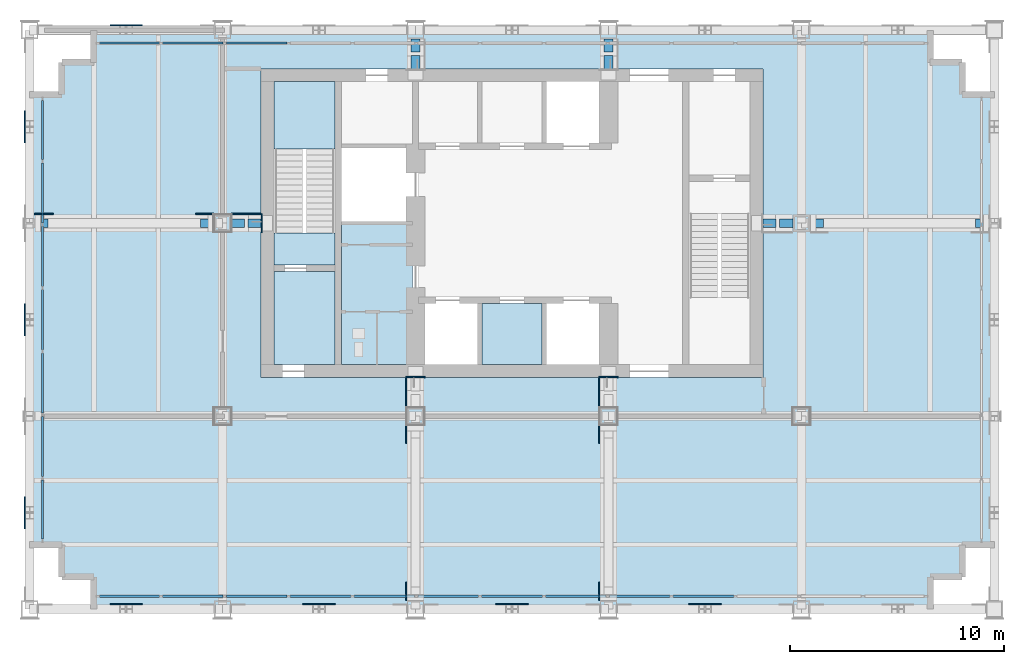
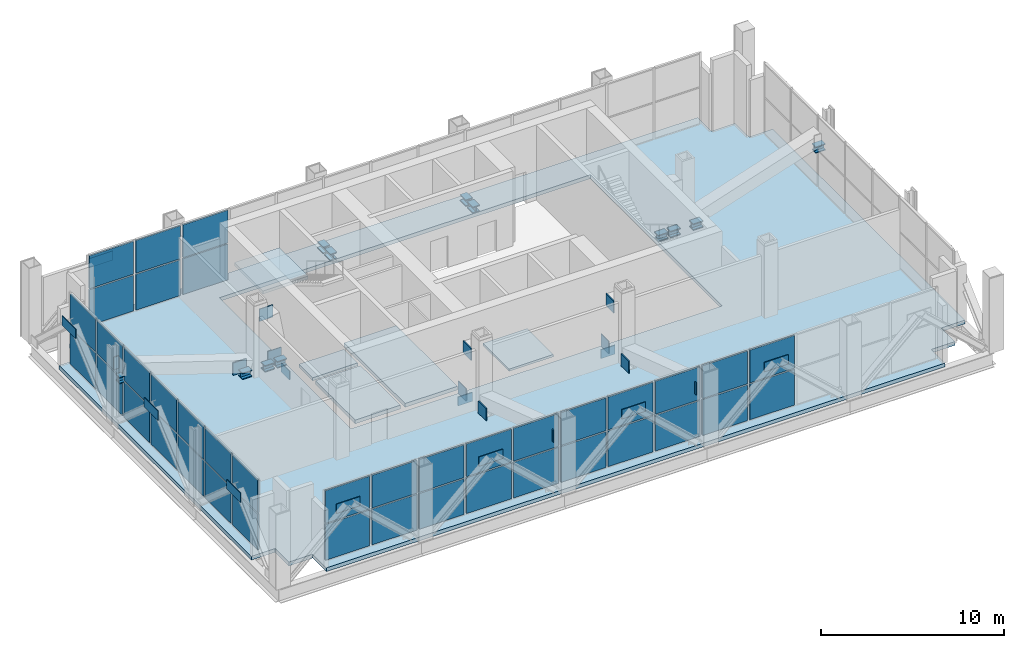
# One storey, part 7 of 13: 63 plates, 12 members, 6 slabs, 4 elements without a shape of their own.
"""IFC4 building model written with IfcOpenShell, lengths in metres."""

from ifc_helpers import new_model, si_unit, direction, frame, origin, origin_2d, place, context, subcontext, project, spatial, polyline, rectangle, i_section, outline, extrude, material, layer, layer_set, material_profile, profile_set, type_object, element, aggregate, save


model = new_model("IFC4")

# Units and contexts
model_context = context("Model", 3, precision=1e-05, world=origin(), true_north=direction((0.0, 1.0)))
body_context = subcontext(model_context, "Body", "Model", "MODEL_VIEW")
ifc_project = project(units=[si_unit("LENGTHUNIT", "METRE"), si_unit("AREAUNIT", "SQUARE_METRE"), si_unit("VOLUMEUNIT", "CUBIC_METRE"), si_unit("PLANEANGLEUNIT", "RADIAN"), si_unit("MASSUNIT", "GRAM", prefix="KILO")], contexts=[model_context])

# Site, building, storey
site_placement = place(None, origin())
site = spatial("IfcSite", under=ifc_project, at=site_placement, CompositionType="ELEMENT")
building_placement = place(site_placement, origin())
building = spatial("IfcBuilding", under=site, at=building_placement, Name="Loomwork Tower", CompositionType="ELEMENT")
storey_placement = place(building_placement, frame((0.0, 0.0, 221.60009765625)))
storey = spatial("IfcBuildingStorey", under=building, at=storey_placement, Name="L61", CompositionType="ELEMENT", Elevation=221.60009765625)

# Members
ifc_material_1 = material(Name="Steel ASTM A992", Category="steel")
ifc_material_profile = material_profile(ifc_material_1, i_section(OverallWidth=0.411376953125, OverallDepth=0.434326171875, WebThickness=0.035888671875, FlangeThickness=0.057373046875, at=origin_2d()), Name="W14x311")
ifc_profile_set = profile_set([ifc_material_profile], Name="Steel ASTM A992")
member_type = type_object("IfcMemberType", Name="OUTRIGGER GUSSET CORBEL W14x311", PredefinedType="STRUT", material=ifc_profile_set)
for number, where, z_axis, x_axis, name in (
    (1, (0.245361328125, 18.0, 2.65478515625), (1.0, 0.0, 0.0), (0.0, 1.0, 0.0), "Outrigger upper gusset corbel F/2/0 L61"),
    (2, (8.595947265625, 18.0, 0.22705078125), (-1.0, 0.0, 0.0), (0.0, -1.0, 0.0), "Outrigger lower gusset corbel F/2/0 L61"),
    (3, (9.404052734375, 18.0, 0.22900390625), (1.0, 0.0, 0.0), (0.0, 1.0, 0.0), "Outrigger upper gusset corbel F/3/1 L61"),
    (4, (10.7958984375, 18.0, 0.22705078125), (-1.0, 0.0, 0.0), (0.0, -1.0, 0.0), "Outrigger lower gusset corbel F/3/1 L61"),
):
    element("IfcMember", number, at=place(storey_placement, frame(where, z_axis=z_axis, x_axis=x_axis)), inside=storey, type_object=member_type, Name=name, PredefinedType="STRUT", context=body_context, shape_type="SweptSolid", body=[
        extrude(i_section(OverallWidth=0.411376953125, OverallDepth=0.434326171875, WebThickness=0.035888671875, FlangeThickness=0.057373046875, at=origin_2d()), origin(), (0.0, 0.0, 1.0), 0.615966796875),
    ])
member_placement = place(storey_placement, frame((44.74609375, 18.0, 2.65478515625), z_axis=(-1.0, 0.0, 0.0), x_axis=(0.0, -1.0, 0.0)))
element("IfcMember", 5, at=member_placement, inside=storey, type_object=member_type, Name="Outrigger upper gusset corbel F/7/0 L61", PredefinedType="STRUT", context=body_context, shape_type="SweptSolid", body=[
    extrude(i_section(OverallWidth=0.411376953125, OverallDepth=0.434326171875, WebThickness=0.035888671875, FlangeThickness=0.057373046875, at=origin_2d()), origin(), (0.0, 0.0, 1.0), 0.6162109375),
])
for number, where, z_axis, x_axis, name in (
    (6, (36.404052734375, 18.0, 0.22705078125), (1.0, 0.0, 0.0), (0.0, 1.0, 0.0), "Outrigger lower gusset corbel F/7/0 L61"),
    (7, (35.595947265625, 18.0, 0.22900390625), (-1.0, 0.0, 0.0), (0.0, -1.0, 0.0), "Outrigger upper gusset corbel F/6/1 L61"),
    (8, (34.2041015625, 18.0, 0.22705078125), (1.0, 0.0, 0.0), (0.0, 1.0, 0.0), "Outrigger lower gusset corbel F/6/1 L61"),
    (9, (18.0, 26.595947265625, 0.22900390625), (0.0, -1.0, 0.0), (1.0, 0.0, 0.0), "Outrigger upper gusset corbel G/4/0 L61"),
    (10, (18.0, 25.2041015625, 0.22705078125), (0.0, 1.0, 0.0), (-1.0, 0.0, 0.0), "Outrigger lower gusset corbel G/4/0 L61"),
    (11, (27.0, 26.595947265625, 0.22900390625), (0.0, -1.0, 0.0), (1.0, 0.0, 0.0), "Outrigger upper gusset corbel G/5/0 L61"),
    (12, (27.0, 25.2041015625, 0.22705078125), (0.0, 1.0, 0.0), (-1.0, 0.0, 0.0), "Outrigger lower gusset corbel G/5/0 L61"),
):
    element("IfcMember", number, at=place(storey_placement, frame(where, z_axis=z_axis, x_axis=x_axis)), inside=storey, type_object=member_type, Name=name, PredefinedType="STRUT", context=body_context, shape_type="SweptSolid", body=[
        extrude(i_section(OverallWidth=0.411376953125, OverallDepth=0.434326171875, WebThickness=0.035888671875, FlangeThickness=0.057373046875, at=origin_2d()), origin(), (0.0, 0.0, 1.0), 0.615966796875),
    ])

# Slabs
ifc_material_2 = material(Name="Concrete 5000 psi (34 MPa) on composite metal deck", Category="concrete")
ifc_layer_1 = layer(ifc_material_2, 0.25)
ifc_layer_set_1 = layer_set([ifc_layer_1], Name="Floor slab 250")
slab_type_1 = type_object("IfcSlabType", Name="Floor slab 250", PredefinedType="FLOOR", material=ifc_layer_set_1)
slab_1_placement = place(storey_placement, frame((0.0, 0.0, -0.25)))
element("IfcSlab", 13, at=slab_1_placement, inside=storey, type_object=slab_type_1, Name="Floor slab L61", PredefinedType="FLOOR", context=body_context, shape_type="SweptSolid", body=[
    extrude(outline(polyline([(3.0, 1.5), (1.5, 1.5), (1.5, 3.0), (0.0, 3.0), (0.0, 24.0), (1.5, 24.0), (1.5, 25.5), (3.0, 25.5), (3.0, 27.0), (42.0, 27.0), (42.0, 25.5), (43.5, 25.5), (43.5, 24.0), (45.0, 24.0), (45.0, 3.0), (43.5, 3.0), (43.5, 1.5), (42.0, 1.5), (42.0, 0.0), (3.0, 0.0), (3.0, 1.5)]), holes=[polyline([(10.800048828125, 11.39990234375), (10.800048828125, 11.39990234375), (10.800048828125, 10.800048828125), (34.199951171875, 10.800048828125), (34.199951171875, 11.39990234375), (34.199951171875, 11.39990234375), (34.199951171875, 24.60009765625), (34.199951171875, 25.199951171875), (10.800048828125, 25.199951171875), (10.800048828125, 24.60009765625), (10.800048828125, 11.39990234375)])]), origin(), (0.0, 0.0, 1.0), 0.25),
])
slab_2_placement = place(storey_placement, frame((0.0, 0.0, -0.25)))
element("IfcSlab", 14, at=slab_2_placement, inside=storey, type_object=slab_type_1, Name="Floor slab L61", PredefinedType="FLOOR", context=body_context, shape_type="SweptSolid", body=[
    extrude(outline(polyline([(14.550048828125, 11.39990234375), (14.550048828125, 18.074951171875), (17.85009765625, 18.074951171875), (17.85009765625, 11.39990234375), (14.550048828125, 11.39990234375)])), origin(), (0.0, 0.0, 1.0), 0.25),
])
slab_3_placement = place(storey_placement, frame((0.0, 0.0, -0.25)))
element("IfcSlab", 15, at=slab_3_placement, inside=storey, type_object=slab_type_1, Name="Floor slab L61", PredefinedType="FLOOR", context=body_context, shape_type="SweptSolid", body=[
    extrude(outline(polyline([(14.25, 15.75), (14.25, 11.39990234375), (11.39990234375, 11.39990234375), (11.39990234375, 15.75), (14.25, 15.75)])), origin(), (0.0, 0.0, 1.0), 0.25),
])

# Curtain wall, plates
ifc_material_3 = material(Name="Aluminium louvre frame", Category="aluminium")
curtain_wall_type = type_object("IfcCurtainWallType", Name="Plant floor louvre screen", PredefinedType="NOTDEFINED", material=ifc_material_3)
curtain_wall_1_placement = place(storey_placement, origin())
curtain_wall_1 = element("IfcCurtainWall", 16, at=curtain_wall_1_placement, inside=storey, type_object=curtain_wall_type, Name="Plant floor louvre screen cw/S", PredefinedType="NOTDEFINED")
ifc_material_4 = material(Name="Aluminium louvre blade panel", Category="aluminium")
ifc_layer_2 = layer(ifc_material_4, 0.10009765625)
ifc_layer_set_2 = layer_set([ifc_layer_2], Name="Plant floor louvre screen panel")
plate_type_1 = type_object("IfcPlateType", Name="Plant floor louvre screen panel", PredefinedType="CURTAIN_PANEL", material=ifc_layer_set_2)
plate_1_placement = place(storey_placement, frame((4.658447265625, 0.60009765625, 0.080078125), z_axis=(0.0, 0.0, 1.0), x_axis=(1.0, 0.0, 0.0)))
plate_1 = element("IfcPlate", 17, at=plate_1_placement, type_object=plate_type_1, Name="CW4 panel 1.1", PredefinedType="CURTAIN_PANEL", context=body_context, shape_type="SweptSolid", body=[
    extrude(rectangle(XDim=2.786865234375, YDim=0.10009765625, at=origin_2d()), origin(), (0.0, 0.0, 1.0), 2.3798828125),
])
plate_2_placement = place(storey_placement, frame((4.658447265625, 0.60009765625, 2.5400390625), z_axis=(0.0, 0.0, 1.0), x_axis=(1.0, 0.0, 0.0)))
plate_2 = element("IfcPlate", 18, at=plate_2_placement, type_object=plate_type_1, Name="CW4 panel 1.2", PredefinedType="CURTAIN_PANEL", context=body_context, shape_type="SweptSolid", body=[
    extrude(rectangle(XDim=2.786865234375, YDim=0.10009765625, at=origin_2d()), origin(), (0.0, 0.0, 1.0), 2.179931640625),
])
plate_3_placement = place(storey_placement, frame((7.615478515625, 0.60009765625, 0.080078125), z_axis=(0.0, 0.0, 1.0), x_axis=(1.0, 0.0, 0.0)))
plate_3 = element("IfcPlate", 19, at=plate_3_placement, type_object=plate_type_1, Name="CW4 panel 2.1", PredefinedType="CURTAIN_PANEL", context=body_context, shape_type="SweptSolid", body=[
    extrude(rectangle(XDim=2.826904296875, YDim=0.10009765625, at=origin_2d()), origin(), (0.0, 0.0, 1.0), 2.3798828125),
])
plate_4_placement = place(storey_placement, frame((7.615478515625, 0.60009765625, 2.5400390625), z_axis=(0.0, 0.0, 1.0), x_axis=(1.0, 0.0, 0.0)))
plate_4 = element("IfcPlate", 20, at=plate_4_placement, type_object=plate_type_1, Name="CW4 panel 2.2", PredefinedType="CURTAIN_PANEL", context=body_context, shape_type="SweptSolid", body=[
    extrude(rectangle(XDim=2.826904296875, YDim=0.10009765625, at=origin_2d()), origin(), (0.0, 0.0, 1.0), 2.179931640625),
])
plate_5_placement = place(storey_placement, frame((10.59228515625, 0.60009765625, 0.080078125), z_axis=(0.0, 0.0, 1.0), x_axis=(1.0, 0.0, 0.0)))
plate_5 = element("IfcPlate", 21, at=plate_5_placement, type_object=plate_type_1, Name="CW4 panel 3.1", PredefinedType="CURTAIN_PANEL", context=body_context, shape_type="SweptSolid", body=[
    extrude(rectangle(XDim=2.826904296875, YDim=0.10009765625, at=origin_2d()), origin(), (0.0, 0.0, 1.0), 2.3798828125),
])
plate_6_placement = place(storey_placement, frame((10.59228515625, 0.60009765625, 2.5400390625), z_axis=(0.0, 0.0, 1.0), x_axis=(1.0, 0.0, 0.0)))
plate_6 = element("IfcPlate", 22, at=plate_6_placement, type_object=plate_type_1, Name="CW4 panel 3.2", PredefinedType="CURTAIN_PANEL", context=body_context, shape_type="SweptSolid", body=[
    extrude(rectangle(XDim=2.826904296875, YDim=0.10009765625, at=origin_2d()), origin(), (0.0, 0.0, 1.0), 2.179931640625),
])
plate_7_placement = place(storey_placement, frame((13.5693359375, 0.60009765625, 0.080078125), z_axis=(0.0, 0.0, 1.0), x_axis=(1.0, 0.0, 0.0)))
plate_7 = element("IfcPlate", 23, at=plate_7_placement, type_object=plate_type_1, Name="CW4 panel 4.1", PredefinedType="CURTAIN_PANEL", context=body_context, shape_type="SweptSolid", body=[
    extrude(rectangle(XDim=2.826904296875, YDim=0.10009765625, at=origin_2d()), origin(), (0.0, 0.0, 1.0), 2.3798828125),
])
plate_8_placement = place(storey_placement, frame((13.5693359375, 0.60009765625, 2.5400390625), z_axis=(0.0, 0.0, 1.0), x_axis=(1.0, 0.0, 0.0)))
plate_8 = element("IfcPlate", 24, at=plate_8_placement, type_object=plate_type_1, Name="CW4 panel 4.2", PredefinedType="CURTAIN_PANEL", context=body_context, shape_type="SweptSolid", body=[
    extrude(rectangle(XDim=2.826904296875, YDim=0.10009765625, at=origin_2d()), origin(), (0.0, 0.0, 1.0), 2.179931640625),
])
plate_9_placement = place(storey_placement, frame((16.546142578125, 0.60009765625, 0.080078125), z_axis=(0.0, 0.0, 1.0), x_axis=(1.0, 0.0, 0.0)))
plate_9 = element("IfcPlate", 25, at=plate_9_placement, type_object=plate_type_1, Name="CW4 panel 5.1", PredefinedType="CURTAIN_PANEL", context=body_context, shape_type="SweptSolid", body=[
    extrude(rectangle(XDim=2.826904296875, YDim=0.10009765625, at=origin_2d()), origin(), (0.0, 0.0, 1.0), 2.3798828125),
])
plate_10_placement = place(storey_placement, frame((16.546142578125, 0.60009765625, 2.5400390625), z_axis=(0.0, 0.0, 1.0), x_axis=(1.0, 0.0, 0.0)))
plate_10 = element("IfcPlate", 26, at=plate_10_placement, type_object=plate_type_1, Name="CW4 panel 5.2", PredefinedType="CURTAIN_PANEL", context=body_context, shape_type="SweptSolid", body=[
    extrude(rectangle(XDim=2.826904296875, YDim=0.10009765625, at=origin_2d()), origin(), (0.0, 0.0, 1.0), 2.179931640625),
])
plate_11_placement = place(storey_placement, frame((19.523193359375, 0.60009765625, 0.080078125), z_axis=(0.0, 0.0, 1.0), x_axis=(1.0, 0.0, 0.0)))
plate_11 = element("IfcPlate", 27, at=plate_11_placement, type_object=plate_type_1, Name="CW4 panel 6.1", PredefinedType="CURTAIN_PANEL", context=body_context, shape_type="SweptSolid", body=[
    extrude(rectangle(XDim=2.826904296875, YDim=0.10009765625, at=origin_2d()), origin(), (0.0, 0.0, 1.0), 2.3798828125),
])
plate_12_placement = place(storey_placement, frame((19.523193359375, 0.60009765625, 2.5400390625), z_axis=(0.0, 0.0, 1.0), x_axis=(1.0, 0.0, 0.0)))
plate_12 = element("IfcPlate", 28, at=plate_12_placement, type_object=plate_type_1, Name="CW4 panel 6.2", PredefinedType="CURTAIN_PANEL", context=body_context, shape_type="SweptSolid", body=[
    extrude(rectangle(XDim=2.826904296875, YDim=0.10009765625, at=origin_2d()), origin(), (0.0, 0.0, 1.0), 2.179931640625),
])
plate_13_placement = place(storey_placement, frame((22.5, 0.60009765625, 0.080078125), z_axis=(0.0, 0.0, 1.0), x_axis=(1.0, 0.0, 0.0)))
plate_13 = element("IfcPlate", 29, at=plate_13_placement, type_object=plate_type_1, Name="CW4 panel 7.1", PredefinedType="CURTAIN_PANEL", context=body_context, shape_type="SweptSolid", body=[
    extrude(rectangle(XDim=2.826904296875, YDim=0.10009765625, at=origin_2d()), origin(), (0.0, 0.0, 1.0), 2.3798828125),
])
plate_14_placement = place(storey_placement, frame((22.5, 0.60009765625, 2.5400390625), z_axis=(0.0, 0.0, 1.0), x_axis=(1.0, 0.0, 0.0)))
plate_14 = element("IfcPlate", 30, at=plate_14_placement, type_object=plate_type_1, Name="CW4 panel 7.2", PredefinedType="CURTAIN_PANEL", context=body_context, shape_type="SweptSolid", body=[
    extrude(rectangle(XDim=2.826904296875, YDim=0.10009765625, at=origin_2d()), origin(), (0.0, 0.0, 1.0), 2.179931640625),
])
plate_15_placement = place(storey_placement, frame((25.476806640625, 0.60009765625, 0.080078125), z_axis=(0.0, 0.0, 1.0), x_axis=(1.0, 0.0, 0.0)))
plate_15 = element("IfcPlate", 31, at=plate_15_placement, type_object=plate_type_1, Name="CW4 panel 8.1", PredefinedType="CURTAIN_PANEL", context=body_context, shape_type="SweptSolid", body=[
    extrude(rectangle(XDim=2.826904296875, YDim=0.10009765625, at=origin_2d()), origin(), (0.0, 0.0, 1.0), 2.3798828125),
])
plate_16_placement = place(storey_placement, frame((25.476806640625, 0.60009765625, 2.5400390625), z_axis=(0.0, 0.0, 1.0), x_axis=(1.0, 0.0, 0.0)))
plate_16 = element("IfcPlate", 32, at=plate_16_placement, type_object=plate_type_1, Name="CW4 panel 8.2", PredefinedType="CURTAIN_PANEL", context=body_context, shape_type="SweptSolid", body=[
    extrude(rectangle(XDim=2.826904296875, YDim=0.10009765625, at=origin_2d()), origin(), (0.0, 0.0, 1.0), 2.179931640625),
])
plate_17_placement = place(storey_placement, frame((28.453857421875, 0.60009765625, 0.080078125), z_axis=(0.0, 0.0, 1.0), x_axis=(1.0, 0.0, 0.0)))
plate_17 = element("IfcPlate", 33, at=plate_17_placement, type_object=plate_type_1, Name="CW4 panel 9.1", PredefinedType="CURTAIN_PANEL", context=body_context, shape_type="SweptSolid", body=[
    extrude(rectangle(XDim=2.826904296875, YDim=0.10009765625, at=origin_2d()), origin(), (0.0, 0.0, 1.0), 2.3798828125),
])
plate_18_placement = place(storey_placement, frame((28.453857421875, 0.60009765625, 2.5400390625), z_axis=(0.0, 0.0, 1.0), x_axis=(1.0, 0.0, 0.0)))
plate_18 = element("IfcPlate", 34, at=plate_18_placement, type_object=plate_type_1, Name="CW4 panel 9.2", PredefinedType="CURTAIN_PANEL", context=body_context, shape_type="SweptSolid", body=[
    extrude(rectangle(XDim=2.826904296875, YDim=0.10009765625, at=origin_2d()), origin(), (0.0, 0.0, 1.0), 2.179931640625),
])
plate_19_placement = place(storey_placement, frame((31.4306640625, 0.60009765625, 0.080078125), z_axis=(0.0, 0.0, 1.0), x_axis=(1.0, 0.0, 0.0)))
plate_19 = element("IfcPlate", 35, at=plate_19_placement, type_object=plate_type_1, Name="CW4 panel 10.1", PredefinedType="CURTAIN_PANEL", context=body_context, shape_type="SweptSolid", body=[
    extrude(rectangle(XDim=2.826904296875, YDim=0.10009765625, at=origin_2d()), origin(), (0.0, 0.0, 1.0), 2.3798828125),
])
plate_20_placement = place(storey_placement, frame((31.4306640625, 0.60009765625, 2.5400390625), z_axis=(0.0, 0.0, 1.0), x_axis=(1.0, 0.0, 0.0)))
plate_20 = element("IfcPlate", 36, at=plate_20_placement, type_object=plate_type_1, Name="CW4 panel 10.2", PredefinedType="CURTAIN_PANEL", context=body_context, shape_type="SweptSolid", body=[
    extrude(rectangle(XDim=2.826904296875, YDim=0.10009765625, at=origin_2d()), origin(), (0.0, 0.0, 1.0), 2.179931640625),
])
aggregate(curtain_wall_1, [plate_1, plate_2, plate_3, plate_4, plate_5, plate_6, plate_7, plate_8, plate_9, plate_10, plate_11, plate_12, plate_13, plate_14, plate_15, plate_16, plate_17, plate_18, plate_19, plate_20])

curtain_wall_2_placement = place(storey_placement, origin())
curtain_wall_2 = element("IfcCurtainWall", 37, at=curtain_wall_2_placement, inside=storey, type_object=curtain_wall_type, Name="Plant floor louvre screen cw/N", PredefinedType="NOTDEFINED")
plate_21_placement = place(storey_placement, frame((10.59228515625, 26.39990234375, 0.080078125), z_axis=(0.0, 0.0, 1.0), x_axis=(-1.0, 0.0, 0.0)))
plate_21 = element("IfcPlate", 38, at=plate_21_placement, type_object=plate_type_1, Name="CW4 panel 11.1", PredefinedType="CURTAIN_PANEL", context=body_context, shape_type="SweptSolid", body=[
    extrude(rectangle(XDim=2.826904296875, YDim=0.10009765625, at=origin_2d()), origin(), (0.0, 0.0, 1.0), 2.3798828125),
])
plate_22_placement = place(storey_placement, frame((10.59228515625, 26.39990234375, 2.5400390625), z_axis=(0.0, 0.0, 1.0), x_axis=(-1.0, 0.0, 0.0)))
plate_22 = element("IfcPlate", 39, at=plate_22_placement, type_object=plate_type_1, Name="CW4 panel 11.2", PredefinedType="CURTAIN_PANEL", context=body_context, shape_type="SweptSolid", body=[
    extrude(rectangle(XDim=2.826904296875, YDim=0.10009765625, at=origin_2d()), origin(), (0.0, 0.0, 1.0), 2.179931640625),
])
plate_23_placement = place(storey_placement, frame((7.615478515625, 26.39990234375, 0.080078125), z_axis=(0.0, 0.0, 1.0), x_axis=(-1.0, 0.0, 0.0)))
plate_23 = element("IfcPlate", 40, at=plate_23_placement, type_object=plate_type_1, Name="CW4 panel 12.1", PredefinedType="CURTAIN_PANEL", context=body_context, shape_type="SweptSolid", body=[
    extrude(rectangle(XDim=2.826904296875, YDim=0.10009765625, at=origin_2d()), origin(), (0.0, 0.0, 1.0), 2.3798828125),
])
plate_24_placement = place(storey_placement, frame((7.615478515625, 26.39990234375, 2.5400390625), z_axis=(0.0, 0.0, 1.0), x_axis=(-1.0, 0.0, 0.0)))
plate_24 = element("IfcPlate", 41, at=plate_24_placement, type_object=plate_type_1, Name="CW4 panel 12.2", PredefinedType="CURTAIN_PANEL", context=body_context, shape_type="SweptSolid", body=[
    extrude(rectangle(XDim=2.826904296875, YDim=0.10009765625, at=origin_2d()), origin(), (0.0, 0.0, 1.0), 2.179931640625),
])
plate_25_placement = place(storey_placement, frame((4.658447265625, 26.39990234375, 0.080078125), z_axis=(0.0, 0.0, 1.0), x_axis=(-1.0, 0.0, 0.0)))
plate_25 = element("IfcPlate", 42, at=plate_25_placement, type_object=plate_type_1, Name="CW4 panel 13.1", PredefinedType="CURTAIN_PANEL", context=body_context, shape_type="SweptSolid", body=[
    extrude(rectangle(XDim=2.786865234375, YDim=0.10009765625, at=origin_2d()), origin(), (0.0, 0.0, 1.0), 2.3798828125),
])
plate_26_placement = place(storey_placement, frame((4.658447265625, 26.39990234375, 2.5400390625), z_axis=(0.0, 0.0, 1.0), x_axis=(-1.0, 0.0, 0.0)))
plate_26 = element("IfcPlate", 43, at=plate_26_placement, type_object=plate_type_1, Name="CW4 panel 13.2", PredefinedType="CURTAIN_PANEL", context=body_context, shape_type="SweptSolid", body=[
    extrude(rectangle(XDim=2.786865234375, YDim=0.10009765625, at=origin_2d()), origin(), (0.0, 0.0, 1.0), 2.179931640625),
])
aggregate(curtain_wall_2, [plate_21, plate_22, plate_23, plate_24, plate_25, plate_26])

curtain_wall_3_placement = place(storey_placement, origin())
curtain_wall_3 = element("IfcCurtainWall", 44, at=curtain_wall_3_placement, inside=storey, type_object=curtain_wall_type, Name="Plant floor louvre screen cw/W", PredefinedType="NOTDEFINED")
plate_27_placement = place(storey_placement, frame((0.60009765625, 22.351318359375, 0.080078125), z_axis=(0.0, 0.0, 1.0), x_axis=(0.0, -1.0, 0.0)))
plate_27 = element("IfcPlate", 45, at=plate_27_placement, type_object=plate_type_1, Name="CW4 panel 1.1", PredefinedType="CURTAIN_PANEL", context=body_context, shape_type="SweptSolid", body=[
    extrude(rectangle(XDim=2.76708984375, YDim=0.10009765625, at=origin_2d()), origin(), (0.0, 0.0, 1.0), 2.3798828125),
])
plate_28_placement = place(storey_placement, frame((0.60009765625, 22.351318359375, 2.5400390625), z_axis=(0.0, 0.0, 1.0), x_axis=(0.0, -1.0, 0.0)))
plate_28 = element("IfcPlate", 46, at=plate_28_placement, type_object=plate_type_1, Name="CW4 panel 1.2", PredefinedType="CURTAIN_PANEL", context=body_context, shape_type="SweptSolid", body=[
    extrude(rectangle(XDim=2.76708984375, YDim=0.10009765625, at=origin_2d()), origin(), (0.0, 0.0, 1.0), 2.179931640625),
])
plate_29_placement = place(storey_placement, frame((0.60009765625, 19.414306640625, 0.080078125), z_axis=(0.0, 0.0, 1.0), x_axis=(0.0, -1.0, 0.0)))
plate_29 = element("IfcPlate", 47, at=plate_29_placement, type_object=plate_type_1, Name="CW4 panel 2.1", PredefinedType="CURTAIN_PANEL", context=body_context, shape_type="SweptSolid", body=[
    extrude(rectangle(XDim=2.80712890625, YDim=0.10009765625, at=origin_2d()), origin(), (0.0, 0.0, 1.0), 2.3798828125),
])
plate_30_placement = place(storey_placement, frame((0.60009765625, 19.414306640625, 2.5400390625), z_axis=(0.0, 0.0, 1.0), x_axis=(0.0, -1.0, 0.0)))
plate_30 = element("IfcPlate", 48, at=plate_30_placement, type_object=plate_type_1, Name="CW4 panel 2.2", PredefinedType="CURTAIN_PANEL", context=body_context, shape_type="SweptSolid", body=[
    extrude(rectangle(XDim=2.80712890625, YDim=0.10009765625, at=origin_2d()), origin(), (0.0, 0.0, 1.0), 2.179931640625),
])
plate_31_placement = place(storey_placement, frame((0.60009765625, 16.45703125, 0.080078125), z_axis=(0.0, 0.0, 1.0), x_axis=(0.0, -1.0, 0.0)))
plate_31 = element("IfcPlate", 49, at=plate_31_placement, type_object=plate_type_1, Name="CW4 panel 3.1", PredefinedType="CURTAIN_PANEL", context=body_context, shape_type="SweptSolid", body=[
    extrude(rectangle(XDim=2.80712890625, YDim=0.10009765625, at=origin_2d()), origin(), (0.0, 0.0, 1.0), 2.3798828125),
])
plate_32_placement = place(storey_placement, frame((0.60009765625, 16.45703125, 2.5400390625), z_axis=(0.0, 0.0, 1.0), x_axis=(0.0, -1.0, 0.0)))
plate_32 = element("IfcPlate", 50, at=plate_32_placement, type_object=plate_type_1, Name="CW4 panel 3.2", PredefinedType="CURTAIN_PANEL", context=body_context, shape_type="SweptSolid", body=[
    extrude(rectangle(XDim=2.80712890625, YDim=0.10009765625, at=origin_2d()), origin(), (0.0, 0.0, 1.0), 2.179931640625),
])
plate_33_placement = place(storey_placement, frame((0.60009765625, 13.5, 0.080078125), z_axis=(0.0, 0.0, 1.0), x_axis=(0.0, -1.0, 0.0)))
plate_33 = element("IfcPlate", 51, at=plate_33_placement, type_object=plate_type_1, Name="CW4 panel 4.1", PredefinedType="CURTAIN_PANEL", context=body_context, shape_type="SweptSolid", body=[
    extrude(rectangle(XDim=2.80712890625, YDim=0.10009765625, at=origin_2d()), origin(), (0.0, 0.0, 1.0), 2.3798828125),
])
plate_34_placement = place(storey_placement, frame((0.60009765625, 13.5, 2.5400390625), z_axis=(0.0, 0.0, 1.0), x_axis=(0.0, -1.0, 0.0)))
plate_34 = element("IfcPlate", 52, at=plate_34_placement, type_object=plate_type_1, Name="CW4 panel 4.2", PredefinedType="CURTAIN_PANEL", context=body_context, shape_type="SweptSolid", body=[
    extrude(rectangle(XDim=2.80712890625, YDim=0.10009765625, at=origin_2d()), origin(), (0.0, 0.0, 1.0), 2.179931640625),
])
plate_35_placement = place(storey_placement, frame((0.60009765625, 10.54296875, 0.080078125), z_axis=(0.0, 0.0, 1.0), x_axis=(0.0, -1.0, 0.0)))
plate_35 = element("IfcPlate", 53, at=plate_35_placement, type_object=plate_type_1, Name="CW4 panel 5.1", PredefinedType="CURTAIN_PANEL", context=body_context, shape_type="SweptSolid", body=[
    extrude(rectangle(XDim=2.80712890625, YDim=0.10009765625, at=origin_2d()), origin(), (0.0, 0.0, 1.0), 2.3798828125),
])
plate_36_placement = place(storey_placement, frame((0.60009765625, 10.54296875, 2.5400390625), z_axis=(0.0, 0.0, 1.0), x_axis=(0.0, -1.0, 0.0)))
plate_36 = element("IfcPlate", 54, at=plate_36_placement, type_object=plate_type_1, Name="CW4 panel 5.2", PredefinedType="CURTAIN_PANEL", context=body_context, shape_type="SweptSolid", body=[
    extrude(rectangle(XDim=2.80712890625, YDim=0.10009765625, at=origin_2d()), origin(), (0.0, 0.0, 1.0), 2.179931640625),
])
plate_37_placement = place(storey_placement, frame((0.60009765625, 7.585693359375, 0.080078125), z_axis=(0.0, 0.0, 1.0), x_axis=(0.0, -1.0, 0.0)))
plate_37 = element("IfcPlate", 55, at=plate_37_placement, type_object=plate_type_1, Name="CW4 panel 6.1", PredefinedType="CURTAIN_PANEL", context=body_context, shape_type="SweptSolid", body=[
    extrude(rectangle(XDim=2.80712890625, YDim=0.10009765625, at=origin_2d()), origin(), (0.0, 0.0, 1.0), 2.3798828125),
])
plate_38_placement = place(storey_placement, frame((0.60009765625, 7.585693359375, 2.5400390625), z_axis=(0.0, 0.0, 1.0), x_axis=(0.0, -1.0, 0.0)))
plate_38 = element("IfcPlate", 56, at=plate_38_placement, type_object=plate_type_1, Name="CW4 panel 6.2", PredefinedType="CURTAIN_PANEL", context=body_context, shape_type="SweptSolid", body=[
    extrude(rectangle(XDim=2.80712890625, YDim=0.10009765625, at=origin_2d()), origin(), (0.0, 0.0, 1.0), 2.179931640625),
])
plate_39_placement = place(storey_placement, frame((0.60009765625, 4.648681640625, 0.080078125), z_axis=(0.0, 0.0, 1.0), x_axis=(0.0, -1.0, 0.0)))
plate_39 = element("IfcPlate", 57, at=plate_39_placement, type_object=plate_type_1, Name="CW4 panel 7.1", PredefinedType="CURTAIN_PANEL", context=body_context, shape_type="SweptSolid", body=[
    extrude(rectangle(XDim=2.76708984375, YDim=0.10009765625, at=origin_2d()), origin(), (0.0, 0.0, 1.0), 2.3798828125),
])
plate_40_placement = place(storey_placement, frame((0.60009765625, 4.648681640625, 2.5400390625), z_axis=(0.0, 0.0, 1.0), x_axis=(0.0, -1.0, 0.0)))
plate_40 = element("IfcPlate", 58, at=plate_40_placement, type_object=plate_type_1, Name="CW4 panel 7.2", PredefinedType="CURTAIN_PANEL", context=body_context, shape_type="SweptSolid", body=[
    extrude(rectangle(XDim=2.76708984375, YDim=0.10009765625, at=origin_2d()), origin(), (0.0, 0.0, 1.0), 2.179931640625),
])
aggregate(curtain_wall_3, [plate_27, plate_28, plate_29, plate_30, plate_31, plate_32, plate_33, plate_34, plate_35, plate_36, plate_37, plate_38, plate_39, plate_40])

# Slab
ifc_material_5 = material(Name="Concrete 5000 psi (34 MPa) on composite metal deck", Category="concrete")
ifc_layer_3 = layer(ifc_material_5, 0.14990234375)
ifc_layer_set_3 = layer_set([ifc_layer_3], Name="Shaft infill floor 150")
slab_type_2 = type_object("IfcSlabType", Name="Shaft infill floor 150", PredefinedType="FLOOR", material=ifc_layer_set_3)
slab_4_placement = place(storey_placement, frame((0.0, 0.0, -0.150146484375)))
element("IfcSlab", 59, at=slab_4_placement, inside=storey, type_object=slab_type_2, Name="Shaft infill floor S2 L61", PredefinedType="FLOOR", context=body_context, shape_type="SweptSolid", body=[
    extrude(outline(polyline([(21.10009765625, 11.39990234375), (23.89990234375, 11.39990234375), (23.89990234375, 14.25), (21.10009765625, 14.25), (21.10009765625, 11.39990234375)])), origin(), (0.0, 0.0, 1.0), 0.150146484375),
])

# Stair, slabs
ifc_material_6 = material(Name="Concrete 5000 psi (34 MPa) precast stair", Category="concrete")
stair_type = type_object("IfcStairType", Name="Stair ST-A 30 risers 2850 wide", PredefinedType="HALF_TURN_STAIR", material=ifc_material_6)
stair_placement = place(storey_placement, origin())
stair = element("IfcStair", 60, at=stair_placement, inside=storey, type_object=stair_type, Name="Stair A L61", PredefinedType="HALF_TURN_STAIR")
ifc_material_7 = material(Name="Concrete 5000 psi (34 MPa)", Category="concrete")
ifc_layer_4 = layer(ifc_material_7, 0.199951171875)
ifc_layer_set_4 = layer_set([ifc_layer_4], Name="Stair landing 200")
slab_type_3 = type_object("IfcSlabType", Name="Stair landing 200", PredefinedType="LANDING", material=ifc_layer_set_4)
slab_5_placement = place(storey_placement, frame((0.0, 0.0, -0.2001953125)))
slab_5 = element("IfcSlab", 61, at=slab_5_placement, type_object=slab_type_3, Name="ST-A landing 1", PredefinedType="LANDING", context=body_context, shape_type="SweptSolid", body=[
    extrude(outline(polyline([(11.39990234375, 16.050048828125), (14.25, 16.050048828125), (14.25, 17.550048828125), (11.39990234375, 17.550048828125), (11.39990234375, 16.050048828125)])), origin(), (0.0, 0.0, 1.0), 0.2001953125),
])
slab_6_placement = place(storey_placement, frame((0.0, 0.0, 2.2998046875)))
slab_6 = element("IfcSlab", 62, at=slab_6_placement, type_object=slab_type_3, Name="ST-A landing 2", PredefinedType="LANDING", context=body_context, shape_type="SweptSolid", body=[
    extrude(outline(polyline([(11.39990234375, 21.469970703125), (14.25, 21.469970703125), (14.25, 24.60009765625), (11.39990234375, 24.60009765625), (11.39990234375, 21.469970703125)])), origin(), (0.0, 0.0, 1.0), 0.2001953125),
])
aggregate(stair, [slab_5, slab_6])

# Plates
ifc_material_8 = material(Name="Steel ASTM A572 Grade 50 plate", Category="steel")
ifc_layer_5 = layer(ifc_material_8, 0.06005859375)
ifc_layer_set_5 = layer_set([ifc_layer_5], Name="OUTRIGGER CAST-IN CORE PLATE 60")
plate_type_2 = type_object("IfcPlateType", Name="OUTRIGGER CAST-IN CORE PLATE 60", PredefinedType="SHEET", material=ifc_layer_set_5)
for number, where, z_axis, x_axis, name in (
    (63, (27.0, 10.830078125, -0.8447265625), (0.0, 0.0, 1.0), (1.0, 0.0, 0.0), "Outrigger cast-in core plate 27,9-27,11.1 L61"),
    (64, (18.0, 10.830078125, -0.8447265625), (0.0, 0.0, 1.0), (1.0, 0.0, 0.0), "Outrigger cast-in core plate 18,9-18,11.1 L61"),
    (65, (10.830078125, 18.0, -0.8447265625), (0.0, 0.0, 1.0), (0.0, 1.0, 0.0), "Outrigger cast-in core plate 9,18-11.1,18 L61"),
):
    element("IfcPlate", number, at=place(storey_placement, frame(where, z_axis=z_axis, x_axis=x_axis)), inside=storey, type_object=plate_type_2, Name=name, PredefinedType="SHEET", context=body_context, shape_type="SweptSolid", body=[
        extrude(rectangle(XDim=0.89990234375, YDim=0.06005859375, at=origin_2d()), origin(), (0.0, 0.0, 1.0), 0.590087890625),
    ])
ifc_material_9 = material(Name="Steel ASTM A572 Grade 50 plate", Category="steel")
ifc_layer_6 = layer(ifc_material_9, 0.050048828125)
ifc_layer_set_6 = layer_set([ifc_layer_6], Name="BELT TRUSS APEX GUSSET PLATE 50")
plate_type_3 = type_object("IfcPlateType", Name="BELT TRUSS APEX GUSSET PLATE 50", PredefinedType="SHEET", material=ifc_layer_set_6)
for number, where, z_axis, x_axis, name in (
    (66, (4.5, 0.231689453125, 3.23046875), (0.0, 0.0, 1.0), (1.0, 0.0, 0.0), "Belt truss chevron apex gusset plate D/2-D/3 L61"),
    (67, (-0.231689453125, 4.5, 3.23046875), (0.0, 0.0, 1.0), (0.0, 1.0, 0.0), "Belt truss chevron apex gusset plate D/2-E/2 L61"),
    (68, (13.5, 0.231689453125, 3.23046875), (0.0, 0.0, 1.0), (1.0, 0.0, 0.0), "Belt truss chevron apex gusset plate D/3-D/4 L61"),
    (69, (22.5, 0.231689453125, 3.23046875), (0.0, 0.0, 1.0), (1.0, 0.0, 0.0), "Belt truss chevron apex gusset plate D/4-D/5 L61"),
    (70, (31.5, 0.231689453125, 3.23046875), (0.0, 0.0, 1.0), (1.0, 0.0, 0.0), "Belt truss chevron apex gusset plate D/5-D/6 L61"),
    (71, (-0.231689453125, 13.5, 3.23046875), (0.0, 0.0, 1.0), (0.0, 1.0, 0.0), "Belt truss chevron apex gusset plate E/2-F/2 L61"),
    (72, (-0.231689453125, 22.5, 3.23046875), (0.0, 0.0, 1.0), (0.0, 1.0, 0.0), "Belt truss chevron apex gusset plate F/2-G/2 L61"),
    (73, (4.5, 27.231689453125, 3.23046875), (0.0, 0.0, 1.0), (1.0, 0.0, 0.0), "Belt truss chevron apex gusset plate G/2-G/3 L61"),
):
    element("IfcPlate", number, at=place(storey_placement, frame(where, z_axis=z_axis, x_axis=x_axis)), inside=storey, type_object=plate_type_3, Name=name, PredefinedType="SHEET", context=body_context, shape_type="SweptSolid", body=[
        extrude(rectangle(XDim=1.5, YDim=0.050048828125, at=origin_2d()), origin(), (0.0, 0.0, 1.0), 0.6201171875),
    ])
ifc_material_10 = material(Name="Steel ASTM A572 Grade 50 plate", Category="steel")
ifc_layer_7 = layer(ifc_material_10, 0.06005859375)
ifc_layer_set_7 = layer_set([ifc_layer_7], Name="OUTRIGGER GUSSET PLATE 60")
plate_type_4 = type_object("IfcPlateType", Name="OUTRIGGER GUSSET PLATE 60", PredefinedType="SHEET", material=ifc_layer_set_7)
for number, where, z_axis, x_axis, name in (
    (74, (0.67041015625, 18.430908203125, 3.0224609375), (0.0, 0.0, 1.0), (1.0, 0.0, 0.0), "Outrigger top gusset plate F/2/0 L61"),
    (75, (8.1708984375, 18.430908203125, 0.009765625), (0.0, 0.0, 1.0), (1.0, 0.0, 0.0), "Outrigger bot gusset plate F/2/0 L61"),
    (76, (9.8291015625, 18.430908203125, 3.0224609375), (0.0, 0.0, 1.0), (1.0, 0.0, 0.0), "Outrigger top gusset plate F/3/1 L61"),
    (77, (10.37109375, 18.430908203125, 0.009765625), (0.0, 0.0, 1.0), (1.0, 0.0, 0.0), "Outrigger bot gusset plate F/3/1 L61"),
    (78, (17.569091796875, 0.8291015625, 3.0224609375), (0.0, 0.0, 1.0), (0.0, 1.0, 0.0), "Outrigger top gusset plate D/4/0 L61"),
    (79, (17.569091796875, 8.1708984375, 0.009765625), (0.0, 0.0, 1.0), (0.0, 1.0, 0.0), "Outrigger bot gusset plate D/4/0 L61"),
    (80, (17.569091796875, 9.8291015625, 3.0224609375), (0.0, 0.0, 1.0), (0.0, 1.0, 0.0), "Outrigger top gusset plate E/4/1 L61"),
    (81, (17.569091796875, 10.37109375, 0.009765625), (0.0, 0.0, 1.0), (0.0, 1.0, 0.0), "Outrigger bot gusset plate E/4/1 L61"),
    (82, (26.569091796875, 0.8291015625, 3.0224609375), (0.0, 0.0, 1.0), (0.0, 1.0, 0.0), "Outrigger top gusset plate D/5/0 L61"),
    (83, (26.569091796875, 8.1708984375, 0.009765625), (0.0, 0.0, 1.0), (0.0, 1.0, 0.0), "Outrigger bot gusset plate D/5/0 L61"),
    (84, (26.569091796875, 9.8291015625, 3.0224609375), (0.0, 0.0, 1.0), (0.0, 1.0, 0.0), "Outrigger top gusset plate E/5/1 L61"),
    (85, (26.569091796875, 10.37109375, 0.009765625), (0.0, 0.0, 1.0), (0.0, 1.0, 0.0), "Outrigger bot gusset plate E/5/1 L61"),
):
    element("IfcPlate", number, at=place(storey_placement, frame(where, z_axis=z_axis, x_axis=x_axis)), inside=storey, type_object=plate_type_4, Name=name, PredefinedType="SHEET", context=body_context, shape_type="SweptSolid", body=[
        extrude(rectangle(XDim=0.85009765625, YDim=0.06005859375, at=origin_2d()), origin(), (0.0, 0.0, 1.0), 0.820068359375),
    ])

save(model, "model.ifc")
